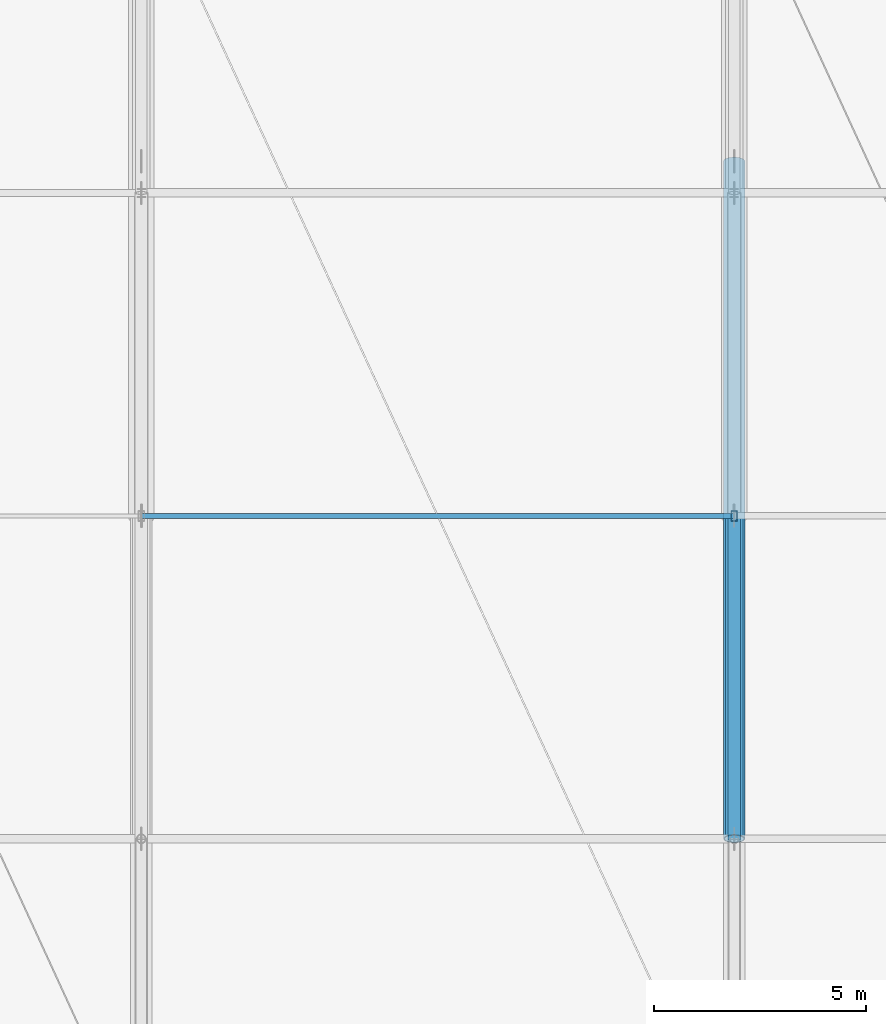
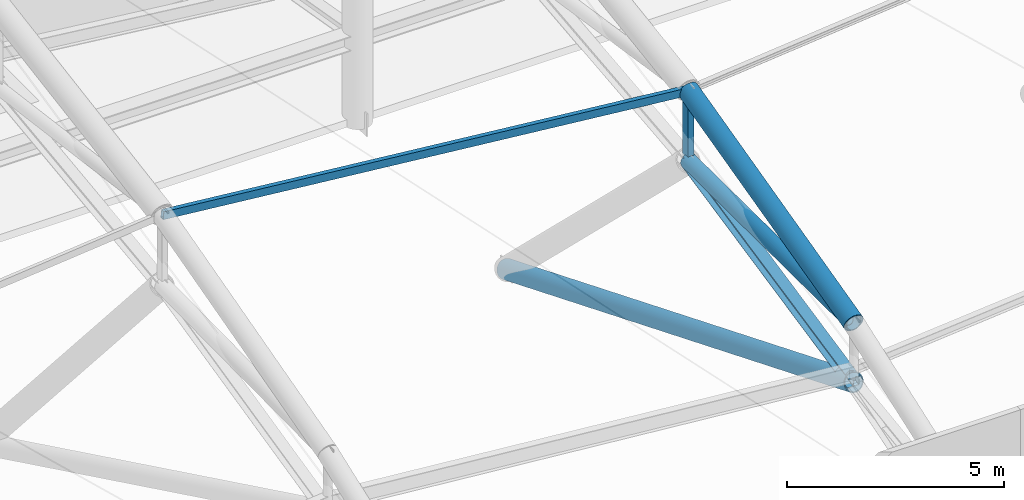
# One storey, part 29 of 113: 6 members.
"""IFC4 building model written with IfcOpenShell, lengths in metres."""

from ifc_helpers import new_model, si_unit, direction, frame, origin, origin_2d, place, context, subcontext, project, spatial, hollow_rectangle, hollow_circle, i_section, extrude, material, material_profile, profile_set, type_object, element, save


model = new_model("IFC4")

# Units and contexts
model_context = context("Model", 3, precision=1e-05, world=origin(), true_north=direction((0.0, 1.0)))
body_context = subcontext(model_context, "Body", "Model", "MODEL_VIEW")
ifc_project = project(units=[si_unit("LENGTHUNIT", "METRE"), si_unit("AREAUNIT", "SQUARE_METRE"), si_unit("VOLUMEUNIT", "CUBIC_METRE"), si_unit("PLANEANGLEUNIT", "RADIAN"), si_unit("MASSUNIT", "GRAM", prefix="KILO")], contexts=[model_context])

# Site, building, storey
site_placement = place(None, origin())
site = spatial("IfcSite", under=ifc_project, at=site_placement, CompositionType="ELEMENT")
building_placement = place(site_placement, origin())
building = spatial("IfcBuilding", under=site, at=building_placement, Name="Linyun Crest Stadium", CompositionType="ELEMENT")
storey_placement = place(building_placement, frame((0.0, 0.0, 26.39990234375)))
storey = spatial("IfcBuildingStorey", under=building, at=storey_placement, Name="L06", CompositionType="ELEMENT", Elevation=26.39990234375)

# Members
ifc_material_1 = material(Name="Steel Q355C", Category="steel")
ifc_material_profile_1 = material_profile(ifc_material_1, hollow_rectangle(XDim=0.1201171875, YDim=0.219970703125, WallThickness=0.008056640625, at=origin_2d()), Name="RHS 220x120x8")
ifc_profile_set_1 = profile_set([ifc_material_profile_1], Name="Steel Q355C")
member_type_1 = type_object("IfcMemberType", Name="AR03", PredefinedType="USERDEFINED", material=ifc_profile_set_1)
member_1_placement = place(storey_placement, frame((0.0, 76.25, 11.302001953125), z_axis=(0.995017241541, 0.0, -0.099703004149), x_axis=(0.0, 1.0, 0.0)))
element("IfcMember", 1, at=member_1_placement, inside=storey, type_object=member_type_1, Name="Art Nouveau canopy arch rib AR03 V3 467", ObjectType="ARCH RIB", PredefinedType="USERDEFINED", context=body_context, shape_type="SweptSolid", body=[
    extrude(hollow_rectangle(XDim=0.1201171875, YDim=0.219970703125, WallThickness=0.008056640625, at=origin_2d()), origin(), (0.0, 0.0, 1.0), 14.070068359375),
])
ifc_material_2 = material(Name="Steel Q420C", Category="steel")
ifc_material_profile_2 = material_profile(ifc_material_2, hollow_circle(Radius=0.25390625, WallThickness=0.02490234375, at=origin_2d()), Name="CHS 508x25")
ifc_profile_set_2 = profile_set([ifc_material_profile_2], Name="Steel Q420C")
member_type_2 = type_object("IfcMemberType", Name="TC01", PredefinedType="CHORD", material=ifc_profile_set_2)
member_2_placement = place(storey_placement, frame((14.0, 76.25, 9.899169921875), z_axis=(0.0, -0.969577440695, -0.244784775867), x_axis=(1.0, 0.0, 0.0)))
element("IfcMember", 2, at=member_2_placement, inside=storey, type_object=member_type_2, Name="Roof truss top chord TC01 V3 427", PredefinedType="CHORD", context=body_context, shape_type="SweptSolid", body=[
    extrude(hollow_circle(Radius=0.25390625, WallThickness=0.02490234375, at=origin_2d()), origin(), (0.0, 0.0, 1.0), 7.8642578125),
])
member_3_placement = place(storey_placement, frame((14.0, 84.625, -0.21484375), z_axis=(0.0, -0.925963215664, 0.377613722257), x_axis=(1.0, 0.0, 0.0)))
element("IfcMember", 3, at=member_3_placement, inside=storey, type_object=member_type_2, Name="Roof arch forward V-strut TC01 V3 436", PredefinedType="CHORD", context=body_context, shape_type="SweptSolid", body=[
    extrude(hollow_circle(Radius=0.25390625, WallThickness=0.02490234375, at=origin_2d()), origin(), (0.0, 0.0, 1.0), 17.279296875),
])
ifc_material_3 = material(Name="Steel Q355C", Category="steel")
ifc_material_profile_3 = material_profile(ifc_material_3, i_section(OverallWidth=0.300048828125, OverallDepth=0.300048828125, WebThickness=0.010009765625, FlangeThickness=0.014892578125, at=origin_2d()), Name="HW 300x300")
ifc_profile_set_3 = profile_set([ifc_material_profile_3], Name="Steel Q355C")
member_type_3 = type_object("IfcMemberType", Name="TC03", PredefinedType="CHORD", material=ifc_profile_set_3)
member_4_placement = place(storey_placement, frame((14.0, 76.25, 7.923095703125), z_axis=(0.0, -0.978348239404, -0.206965510302), x_axis=(1.0, 0.0, 0.0)))
element("IfcMember", 4, at=member_4_placement, inside=storey, type_object=member_type_3, Name="Roof truss bottom chord TC03 V3 428", PredefinedType="CHORD", context=body_context, shape_type="SweptSolid", body=[
    extrude(i_section(OverallWidth=0.300048828125, OverallDepth=0.300048828125, WebThickness=0.010009765625, FlangeThickness=0.014892578125, at=origin_2d()), origin(), (0.0, 0.0, 1.0), 7.793701171875),
])
ifc_material_4 = material(Name="Steel Q420C", Category="steel")
ifc_material_profile_4 = material_profile(ifc_material_4, hollow_circle(Radius=0.202880859375, WallThickness=0.02001953125, at=origin_2d()), Name="CHS 406x20")
ifc_profile_set_4 = profile_set([ifc_material_profile_4], Name="Steel Q420C")
member_type_4 = type_object("IfcMemberType", Name="TD03", PredefinedType="BRACE", material=ifc_profile_set_4)
member_5_placement = place(storey_placement, frame((14.0, 76.25, 7.923095703125), z_axis=(0.0, -0.999977610294, 0.00669170468), x_axis=(1.0, 0.0, 0.0)))
element("IfcMember", 5, at=member_5_placement, inside=storey, type_object=member_type_4, Name="Roof truss diagonal TD03 V3 429", PredefinedType="BRACE", context=body_context, shape_type="SweptSolid", body=[
    extrude(hollow_circle(Radius=0.202880859375, WallThickness=0.02001953125, at=origin_2d()), origin(), (0.0, 0.0, 1.0), 7.625244140625),
])
ifc_material_5 = material(Name="Steel Q355C", Category="steel")
ifc_material_profile_5 = material_profile(ifc_material_5, hollow_rectangle(XDim=0.14990234375, YDim=0.25, WallThickness=0.010009765625, at=origin_2d()), Name="RHS 250x150x10")
ifc_profile_set_5 = profile_set([ifc_material_profile_5], Name="Steel Q355C")
member_type_5 = type_object("IfcMemberType", Name="TV03", PredefinedType="STRUT", material=ifc_profile_set_5)
member_6_placement = place(storey_placement, frame((14.0, 76.25, 7.923095703125), z_axis=(0.0, 0.0, 1.0), x_axis=(1.0, 0.0, 0.0)))
element("IfcMember", 6, at=member_6_placement, inside=storey, type_object=member_type_5, Name="Roof vertical strut TV03 V3 430", PredefinedType="STRUT", context=body_context, shape_type="SweptSolid", body=[
    extrude(hollow_rectangle(XDim=0.14990234375, YDim=0.25, WallThickness=0.010009765625, at=origin_2d()), origin(), (0.0, 0.0, 1.0), 1.97607421875),
])

save(model, "model.ifc")
